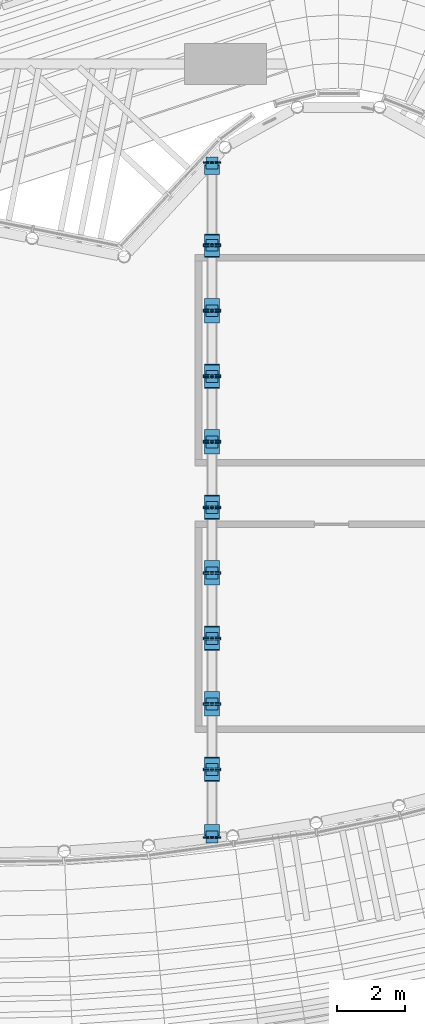
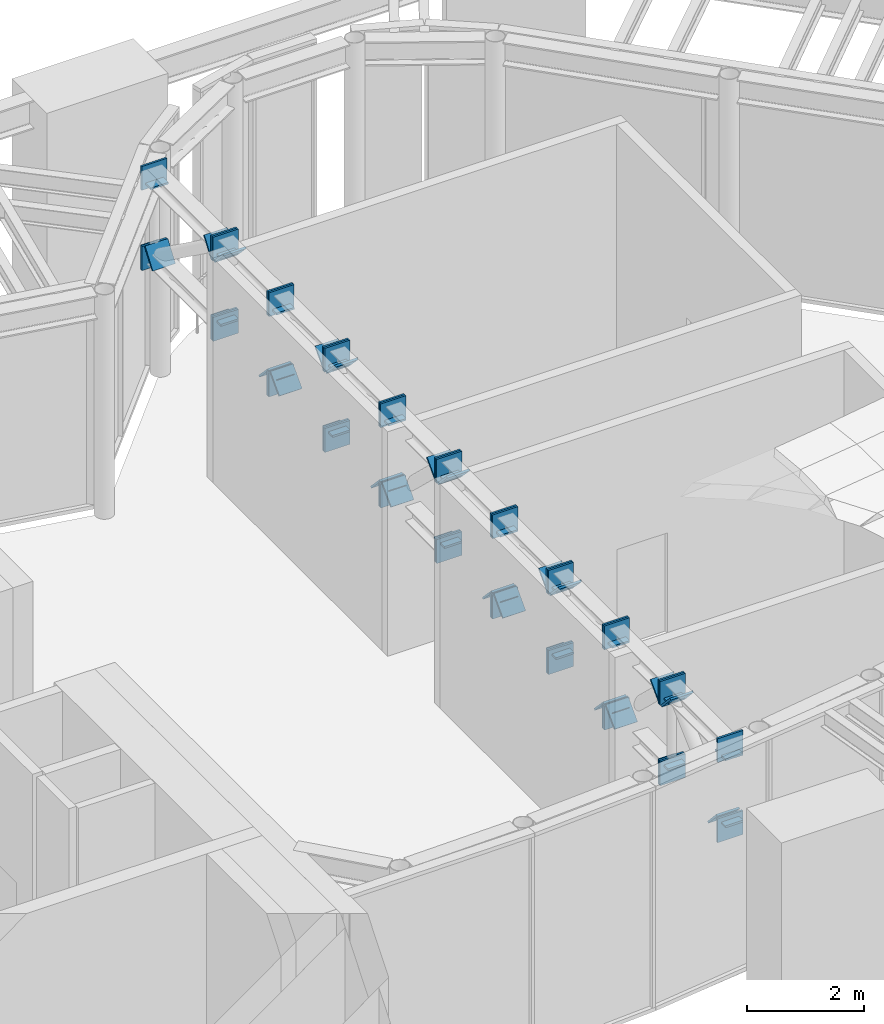
# One storey, part 19 of 20: 82 discrete accessories.
"""IFC4 building model written with IfcOpenShell, lengths in metres."""

from ifc_helpers import new_model, si_unit, direction, frame, origin, origin_2d, place, context, subcontext, project, spatial, rectangle, extrude, material, layer, layer_set, type_object, element, save


model = new_model("IFC4")

# Units and contexts
model_context = context("Model", 3, precision=1e-05, world=origin(), true_north=direction((0.0, 1.0)))
body_context = subcontext(model_context, "Body", "Model", "MODEL_VIEW")
ifc_project = project(units=[si_unit("LENGTHUNIT", "METRE"), si_unit("AREAUNIT", "SQUARE_METRE"), si_unit("VOLUMEUNIT", "CUBIC_METRE"), si_unit("PLANEANGLEUNIT", "RADIAN"), si_unit("MASSUNIT", "GRAM", prefix="KILO")], contexts=[model_context])

# Site, building, storey
site_placement = place(None, origin())
site = spatial("IfcSite", under=ifc_project, at=site_placement, CompositionType="ELEMENT")
building_placement = place(site_placement, origin())
building = spatial("IfcBuilding", under=site, at=building_placement, Name="Brevane Broadcast Tower", CompositionType="ELEMENT")
storey_placement = place(building_placement, frame((0.0, 0.0, 264.199951171875)))
storey = spatial("IfcBuildingStorey", under=building, at=storey_placement, Name="L66", CompositionType="ELEMENT", Elevation=264.199951171875)

# Discrete accessories
ifc_material = material(Name="Steel S355", Category="steel")
ifc_layer_1 = layer(ifc_material, 0.0400390625)
ifc_layer_set_1 = layer_set([ifc_layer_1], Name="Gusset plate 350x350x40 S355")
discrete_accessory_type_1 = type_object("IfcDiscreteAccessoryType", Name="Gusset plate 350x350x40 S355", PredefinedType="ANCHORPLATE", material=ifc_layer_set_1)
for number, where, z_axis, x_axis, name in (
    (1, (33.199951171875, 2.57568359375, 2.97998046875), (0.0, 0.0, 1.0), (1.0, 0.0, 0.0), "Gusset plate GP7-112"),
    (2, (33.199951171875, 2.57568359375, 4.380126953125), (0.0, 0.0, 1.0), (1.0, 0.0, 0.0), "Gusset plate GP7-113"),
    (3, (33.199951171875, 4.547607421875, 2.97998046875), (0.0, 0.0, 1.0), (1.0, 0.0, 0.0), "Gusset plate GP7-114"),
    (4, (33.199951171875, 4.547607421875, 4.380126953125), (0.0, 0.0, 1.0), (1.0, 0.0, 0.0), "Gusset plate GP7-115"),
    (5, (33.199951171875, 6.4658203125, 2.97998046875), (0.0, 0.0, 1.0), (1.0, 0.0, 0.0), "Gusset plate GP7-116"),
    (6, (33.199951171875, 6.4658203125, 4.380126953125), (0.0, 0.0, 1.0), (1.0, 0.0, 0.0), "Gusset plate GP7-117"),
    (7, (33.199951171875, 8.3837890625, 2.97998046875), (0.0, 0.0, 1.0), (1.0, 0.0, 0.0), "Gusset plate GP7-118"),
    (8, (33.199951171875, 8.3837890625, 4.380126953125), (0.0, 0.0, 1.0), (1.0, 0.0, 0.0), "Gusset plate GP7-119"),
    (9, (33.199951171875, 10.302001953125, 2.97998046875), (0.0, 0.0, 1.0), (1.0, 0.0, 0.0), "Gusset plate GP7-120"),
    (10, (33.199951171875, 10.302001953125, 4.380126953125), (0.0, 0.0, 1.0), (1.0, 0.0, 0.0), "Gusset plate GP7-121"),
    (11, (33.199951171875, 12.219970703125, 2.97998046875), (0.0, 0.0, 1.0), (1.0, 0.0, 0.0), "Gusset plate GP7-122"),
    (12, (33.199951171875, 12.219970703125, 4.380126953125), (0.0, 0.0, 1.0), (1.0, 0.0, 0.0), "Gusset plate GP7-123"),
    (13, (33.199951171875, 14.13818359375, 2.97998046875), (0.0, 0.0, 1.0), (1.0, 0.0, 0.0), "Gusset plate GP7-124"),
    (14, (33.199951171875, 14.13818359375, 4.380126953125), (0.0, 0.0, 1.0), (1.0, 0.0, 0.0), "Gusset plate GP7-125"),
    (15, (33.199951171875, 16.05615234375, 2.97998046875), (0.0, 0.0, 1.0), (1.0, 0.0, 0.0), "Gusset plate GP7-126"),
    (16, (33.199951171875, 16.05615234375, 4.380126953125), (0.0, 0.0, 1.0), (1.0, 0.0, 0.0), "Gusset plate GP7-127"),
    (17, (33.199951171875, 17.974365234375, 2.97998046875), (0.0, 0.0, 1.0), (1.0, 0.0, 0.0), "Gusset plate GP7-128"),
    (18, (33.199951171875, 17.974365234375, 4.380126953125), (0.0, 0.0, 1.0), (1.0, 0.0, 0.0), "Gusset plate GP7-129"),
    (19, (33.199951171875, 19.892333984375, 2.97998046875), (0.0, 0.0, 1.0), (1.0, 0.0, 0.0), "Gusset plate GP7-130"),
    (20, (33.199951171875, 19.892333984375, 4.380126953125), (0.0, 0.0, 1.0), (1.0, 0.0, 0.0), "Gusset plate GP7-131"),
    (21, (33.199951171875, 22.295654296875, 2.97998046875), (0.0, 0.0, 1.0), (1.0, 0.0, 0.0), "Gusset plate GP7-132"),
    (22, (33.199951171875, 22.295654296875, 4.380126953125), (0.0, 0.0, 1.0), (1.0, 0.0, 0.0), "Gusset plate GP7-133"),
):
    element("IfcDiscreteAccessory", number, at=place(storey_placement, frame(where, z_axis=z_axis, x_axis=x_axis)), inside=storey, type_object=discrete_accessory_type_1, Name=name, PredefinedType="ANCHORPLATE", context=body_context, shape_type="SweptSolid", body=[
        extrude(rectangle(XDim=0.35009765625, YDim=0.35009765625, at=origin_2d()), origin(), (0.0, 0.0, 1.0), 0.0400390625),
    ])
ifc_layer_2 = layer(ifc_material, 0.0400390625)
ifc_layer_set_2 = layer_set([ifc_layer_2], Name="Gusset plate 450x450x40 S355")
discrete_accessory_type_2 = type_object("IfcDiscreteAccessoryType", Name="Gusset plate 450x450x40 S355", PredefinedType="ANCHORPLATE", material=ifc_layer_set_2)
discrete_accessory_1_placement = place(storey_placement, frame((33.199951171875, 2.750244140625, 2.952880859375), z_axis=(0.0, 0.736901292288, 0.676000359041), x_axis=(-1.0, 0.0, 0.0)))
element("IfcDiscreteAccessory", 23, at=discrete_accessory_1_placement, inside=storey, type_object=discrete_accessory_type_2, Name="Gusset plate GP6-92", PredefinedType="ANCHORPLATE", context=body_context, shape_type="SweptSolid", body=[
    extrude(rectangle(XDim=0.449951171875, YDim=0.449951171875, at=origin_2d()), origin(), (0.0, 0.0, 1.0), 0.0400390625),
])
discrete_accessory_2_placement = place(storey_placement, frame((33.199951171875, 4.343505859375, 4.420166015625), z_axis=(0.0, 0.734099439586, 0.679041981617), x_axis=(-1.0, 0.0, 0.0)))
element("IfcDiscreteAccessory", 24, at=discrete_accessory_2_placement, inside=storey, type_object=discrete_accessory_type_2, Name="Gusset plate GP6-93", PredefinedType="ANCHORPLATE", context=body_context, shape_type="SweptSolid", body=[
    extrude(rectangle(XDim=0.449951171875, YDim=0.449951171875, at=origin_2d()), origin(), (0.0, 0.0, 1.0), 0.039794921875),
])
discrete_accessory_3_placement = place(storey_placement, frame((33.199951171875, 6.29052734375, 2.952392578125), z_axis=(0.0, -0.725151558483, 0.68858929503), x_axis=(1.0, 0.0, 0.0)))
element("IfcDiscreteAccessory", 25, at=discrete_accessory_3_placement, inside=storey, type_object=discrete_accessory_type_2, Name="Gusset plate GP6-94", PredefinedType="ANCHORPLATE", context=body_context, shape_type="SweptSolid", body=[
    extrude(rectangle(XDim=0.449951171875, YDim=0.449951171875, at=origin_2d()), origin(), (0.0, 0.0, 1.0), 0.0400390625),
])
discrete_accessory_4_placement = place(storey_placement, frame((33.199951171875, 4.751708984375, 4.420166015625), z_axis=(0.0, -0.722242954656, 0.691639439628), x_axis=(1.0, 0.0, 0.0)))
element("IfcDiscreteAccessory", 26, at=discrete_accessory_4_placement, inside=storey, type_object=discrete_accessory_type_2, Name="Gusset plate GP6-95", PredefinedType="ANCHORPLATE", context=body_context, shape_type="SweptSolid", body=[
    extrude(rectangle(XDim=0.449951171875, YDim=0.449951171875, at=origin_2d()), origin(), (0.0, 0.0, 1.0), 0.039794921875),
])
discrete_accessory_5_placement = place(storey_placement, frame((33.199951171875, 6.640869140625, 2.952392578125), z_axis=(0.0, 0.725151558483, 0.68858929503), x_axis=(-1.0, 0.0, 0.0)))
element("IfcDiscreteAccessory", 27, at=discrete_accessory_5_placement, inside=storey, type_object=discrete_accessory_type_2, Name="Gusset plate GP6-96", PredefinedType="ANCHORPLATE", context=body_context, shape_type="SweptSolid", body=[
    extrude(rectangle(XDim=0.449951171875, YDim=0.449951171875, at=origin_2d()), origin(), (0.0, 0.0, 1.0), 0.0400390625),
])
discrete_accessory_6_placement = place(storey_placement, frame((33.199951171875, 8.1796875, 4.420166015625), z_axis=(0.0, 0.722242954656, 0.691639439628), x_axis=(-1.0, 0.0, 0.0)))
element("IfcDiscreteAccessory", 28, at=discrete_accessory_6_placement, inside=storey, type_object=discrete_accessory_type_2, Name="Gusset plate GP6-97", PredefinedType="ANCHORPLATE", context=body_context, shape_type="SweptSolid", body=[
    extrude(rectangle(XDim=0.449951171875, YDim=0.449951171875, at=origin_2d()), origin(), (0.0, 0.0, 1.0), 0.039794921875),
])
discrete_accessory_7_placement = place(storey_placement, frame((33.199951171875, 10.126708984375, 2.952392578125), z_axis=(0.0, -0.725151558483, 0.68858929503), x_axis=(1.0, 0.0, 0.0)))
element("IfcDiscreteAccessory", 29, at=discrete_accessory_7_placement, inside=storey, type_object=discrete_accessory_type_2, Name="Gusset plate GP6-98", PredefinedType="ANCHORPLATE", context=body_context, shape_type="SweptSolid", body=[
    extrude(rectangle(XDim=0.449951171875, YDim=0.449951171875, at=origin_2d()), origin(), (0.0, 0.0, 1.0), 0.0400390625),
])
discrete_accessory_8_placement = place(storey_placement, frame((33.199951171875, 8.587890625, 4.420166015625), z_axis=(0.0, -0.722242954656, 0.691639439628), x_axis=(1.0, 0.0, 0.0)))
element("IfcDiscreteAccessory", 30, at=discrete_accessory_8_placement, inside=storey, type_object=discrete_accessory_type_2, Name="Gusset plate GP6-99", PredefinedType="ANCHORPLATE", context=body_context, shape_type="SweptSolid", body=[
    extrude(rectangle(XDim=0.449951171875, YDim=0.449951171875, at=origin_2d()), origin(), (0.0, 0.0, 1.0), 0.039794921875),
])
discrete_accessory_9_placement = place(storey_placement, frame((33.199951171875, 10.47705078125, 2.952392578125), z_axis=(0.0, 0.725151558483, 0.68858929503), x_axis=(-1.0, 0.0, 0.0)))
element("IfcDiscreteAccessory", 31, at=discrete_accessory_9_placement, inside=storey, type_object=discrete_accessory_type_2, Name="Gusset plate GP6-100", PredefinedType="ANCHORPLATE", context=body_context, shape_type="SweptSolid", body=[
    extrude(rectangle(XDim=0.449951171875, YDim=0.449951171875, at=origin_2d()), origin(), (0.0, 0.0, 1.0), 0.0400390625),
])
discrete_accessory_10_placement = place(storey_placement, frame((33.199951171875, 12.015869140625, 4.420166015625), z_axis=(0.0, 0.722242954656, 0.691639439628), x_axis=(-1.0, 0.0, 0.0)))
element("IfcDiscreteAccessory", 32, at=discrete_accessory_10_placement, inside=storey, type_object=discrete_accessory_type_2, Name="Gusset plate GP6-101", PredefinedType="ANCHORPLATE", context=body_context, shape_type="SweptSolid", body=[
    extrude(rectangle(XDim=0.449951171875, YDim=0.449951171875, at=origin_2d()), origin(), (0.0, 0.0, 1.0), 0.039794921875),
])
discrete_accessory_11_placement = place(storey_placement, frame((33.199951171875, 13.962890625, 2.952392578125), z_axis=(0.0, -0.725151558483, 0.68858929503), x_axis=(1.0, 0.0, 0.0)))
element("IfcDiscreteAccessory", 33, at=discrete_accessory_11_placement, inside=storey, type_object=discrete_accessory_type_2, Name="Gusset plate GP6-102", PredefinedType="ANCHORPLATE", context=body_context, shape_type="SweptSolid", body=[
    extrude(rectangle(XDim=0.449951171875, YDim=0.449951171875, at=origin_2d()), origin(), (0.0, 0.0, 1.0), 0.0400390625),
])
discrete_accessory_12_placement = place(storey_placement, frame((33.199951171875, 12.424072265625, 4.420166015625), z_axis=(0.0, -0.722242954656, 0.691639439628), x_axis=(1.0, 0.0, 0.0)))
element("IfcDiscreteAccessory", 34, at=discrete_accessory_12_placement, inside=storey, type_object=discrete_accessory_type_2, Name="Gusset plate GP6-103", PredefinedType="ANCHORPLATE", context=body_context, shape_type="SweptSolid", body=[
    extrude(rectangle(XDim=0.449951171875, YDim=0.449951171875, at=origin_2d()), origin(), (0.0, 0.0, 1.0), 0.039794921875),
])
discrete_accessory_13_placement = place(storey_placement, frame((33.199951171875, 14.313232421875, 2.952392578125), z_axis=(0.0, 0.725151558483, 0.68858929503), x_axis=(-1.0, 0.0, 0.0)))
element("IfcDiscreteAccessory", 35, at=discrete_accessory_13_placement, inside=storey, type_object=discrete_accessory_type_2, Name="Gusset plate GP6-104", PredefinedType="ANCHORPLATE", context=body_context, shape_type="SweptSolid", body=[
    extrude(rectangle(XDim=0.449951171875, YDim=0.449951171875, at=origin_2d()), origin(), (0.0, 0.0, 1.0), 0.0400390625),
])
discrete_accessory_14_placement = place(storey_placement, frame((33.199951171875, 15.85205078125, 4.420166015625), z_axis=(0.0, 0.722242954656, 0.691639439628), x_axis=(-1.0, 0.0, 0.0)))
element("IfcDiscreteAccessory", 36, at=discrete_accessory_14_placement, inside=storey, type_object=discrete_accessory_type_2, Name="Gusset plate GP6-105", PredefinedType="ANCHORPLATE", context=body_context, shape_type="SweptSolid", body=[
    extrude(rectangle(XDim=0.449951171875, YDim=0.449951171875, at=origin_2d()), origin(), (0.0, 0.0, 1.0), 0.039794921875),
])
discrete_accessory_15_placement = place(storey_placement, frame((33.199951171875, 17.799072265625, 2.952392578125), z_axis=(0.0, -0.725151558483, 0.68858929503), x_axis=(1.0, 0.0, 0.0)))
element("IfcDiscreteAccessory", 37, at=discrete_accessory_15_placement, inside=storey, type_object=discrete_accessory_type_2, Name="Gusset plate GP6-106", PredefinedType="ANCHORPLATE", context=body_context, shape_type="SweptSolid", body=[
    extrude(rectangle(XDim=0.449951171875, YDim=0.449951171875, at=origin_2d()), origin(), (0.0, 0.0, 1.0), 0.0400390625),
])
discrete_accessory_16_placement = place(storey_placement, frame((33.199951171875, 16.26025390625, 4.420166015625), z_axis=(0.0, -0.722242954656, 0.691639439628), x_axis=(1.0, 0.0, 0.0)))
element("IfcDiscreteAccessory", 38, at=discrete_accessory_16_placement, inside=storey, type_object=discrete_accessory_type_2, Name="Gusset plate GP6-107", PredefinedType="ANCHORPLATE", context=body_context, shape_type="SweptSolid", body=[
    extrude(rectangle(XDim=0.449951171875, YDim=0.449951171875, at=origin_2d()), origin(), (0.0, 0.0, 1.0), 0.039794921875),
])
for number, where, z_axis, x_axis, name in (
    (39, (33.199951171875, 18.1494140625, 2.952392578125), (0.0, 0.725151558483, 0.68858929503), (-1.0, 0.0, 0.0), "Gusset plate GP6-108"),
    (40, (33.199951171875, 19.688232421875, 4.420166015625), (0.0, 0.725151558483, 0.68858929503), (-1.0, 0.0, 0.0), "Gusset plate GP6-109"),
    (41, (33.199951171875, 22.1240234375, 2.95654296875), (0.0, -0.810839958558, 0.585267940012), (1.0, 0.0, 0.0), "Gusset plate GP6-110"),
):
    element("IfcDiscreteAccessory", number, at=place(storey_placement, frame(where, z_axis=z_axis, x_axis=x_axis)), inside=storey, type_object=discrete_accessory_type_2, Name=name, PredefinedType="ANCHORPLATE", context=body_context, shape_type="SweptSolid", body=[
        extrude(rectangle(XDim=0.449951171875, YDim=0.449951171875, at=origin_2d()), origin(), (0.0, 0.0, 1.0), 0.0400390625),
    ])
discrete_accessory_17_placement = place(storey_placement, frame((33.199951171875, 20.096435546875, 4.420166015625), z_axis=(0.0, -0.811650952973, 0.584142731306), x_axis=(1.0, 0.0, 0.0)))
element("IfcDiscreteAccessory", 42, at=discrete_accessory_17_placement, inside=storey, type_object=discrete_accessory_type_2, Name="Gusset plate GP6-111", PredefinedType="ANCHORPLATE", context=body_context, shape_type="SweptSolid", body=[
    extrude(rectangle(XDim=0.449951171875, YDim=0.449951171875, at=origin_2d()), origin(), (0.0, 0.0, 1.0), 0.039794921875),
])
ifc_layer_3 = layer(ifc_material, 0.0400390625)
ifc_layer_set_3 = layer_set([ifc_layer_3], Name="Gusset plate 500x500x40 S355")
discrete_accessory_type_3 = type_object("IfcDiscreteAccessoryType", Name="Gusset plate 500x500x40 S355", PredefinedType="ANCHORPLATE", material=ifc_layer_set_3)
for number, where, z_axis, x_axis, name in (
    (43, (33.199951171875, 2.53564453125, 2.860107421875), (0.0, 1.0, 0.0), (-1.0, 0.0, 0.0), "Gusset plate GP3-72"),
    (44, (33.199951171875, 4.547607421875, 2.860107421875), (0.0, 1.0, 0.0), (-1.0, 0.0, 0.0), "Gusset plate GP3-73"),
    (45, (33.199951171875, 4.507568359375, 2.860107421875), (0.0, 1.0, 0.0), (-1.0, 0.0, 0.0), "Gusset plate GP3-74"),
):
    element("IfcDiscreteAccessory", number, at=place(storey_placement, frame(where, z_axis=z_axis, x_axis=x_axis)), inside=storey, type_object=discrete_accessory_type_3, Name=name, PredefinedType="ANCHORPLATE", context=body_context, shape_type="SweptSolid", body=[
        extrude(rectangle(XDim=0.5, YDim=0.5, at=origin_2d()), origin(), (0.0, 0.0, 1.0), 0.0400390625),
    ])
discrete_accessory_18_placement = place(storey_placement, frame((33.199951171875, 6.4658203125, 2.860107421875), z_axis=(0.0, 1.0, 0.0), x_axis=(-1.0, 0.0, 0.0)))
element("IfcDiscreteAccessory", 46, at=discrete_accessory_18_placement, inside=storey, type_object=discrete_accessory_type_3, Name="Gusset plate GP3-75", PredefinedType="ANCHORPLATE", context=body_context, shape_type="SweptSolid", body=[
    extrude(rectangle(XDim=0.5, YDim=0.5, at=origin_2d()), origin(), (0.0, 0.0, 1.0), 0.039794921875),
])
for number, where, z_axis, x_axis, name in (
    (47, (33.199951171875, 6.42578125, 2.860107421875), (0.0, 1.0, 0.0), (-1.0, 0.0, 0.0), "Gusset plate GP3-76"),
    (48, (33.199951171875, 8.3837890625, 2.860107421875), (0.0, 1.0, 0.0), (-1.0, 0.0, 0.0), "Gusset plate GP3-77"),
    (49, (33.199951171875, 8.34375, 2.860107421875), (0.0, 1.0, 0.0), (-1.0, 0.0, 0.0), "Gusset plate GP3-78"),
):
    element("IfcDiscreteAccessory", number, at=place(storey_placement, frame(where, z_axis=z_axis, x_axis=x_axis)), inside=storey, type_object=discrete_accessory_type_3, Name=name, PredefinedType="ANCHORPLATE", context=body_context, shape_type="SweptSolid", body=[
        extrude(rectangle(XDim=0.5, YDim=0.5, at=origin_2d()), origin(), (0.0, 0.0, 1.0), 0.0400390625),
    ])
discrete_accessory_19_placement = place(storey_placement, frame((33.199951171875, 10.302001953125, 2.860107421875), z_axis=(0.0, 1.0, 0.0), x_axis=(-1.0, 0.0, 0.0)))
element("IfcDiscreteAccessory", 50, at=discrete_accessory_19_placement, inside=storey, type_object=discrete_accessory_type_3, Name="Gusset plate GP3-79", PredefinedType="ANCHORPLATE", context=body_context, shape_type="SweptSolid", body=[
    extrude(rectangle(XDim=0.5, YDim=0.5, at=origin_2d()), origin(), (0.0, 0.0, 1.0), 0.039794921875),
])
for number, where, z_axis, x_axis, name in (
    (51, (33.199951171875, 10.261962890625, 2.860107421875), (0.0, 1.0, 0.0), (-1.0, 0.0, 0.0), "Gusset plate GP3-80"),
    (52, (33.199951171875, 12.219970703125, 2.860107421875), (0.0, 1.0, 0.0), (-1.0, 0.0, 0.0), "Gusset plate GP3-81"),
    (53, (33.199951171875, 12.179931640625, 2.860107421875), (0.0, 1.0, 0.0), (-1.0, 0.0, 0.0), "Gusset plate GP3-82"),
):
    element("IfcDiscreteAccessory", number, at=place(storey_placement, frame(where, z_axis=z_axis, x_axis=x_axis)), inside=storey, type_object=discrete_accessory_type_3, Name=name, PredefinedType="ANCHORPLATE", context=body_context, shape_type="SweptSolid", body=[
        extrude(rectangle(XDim=0.5, YDim=0.5, at=origin_2d()), origin(), (0.0, 0.0, 1.0), 0.0400390625),
    ])
discrete_accessory_20_placement = place(storey_placement, frame((33.199951171875, 14.13818359375, 2.860107421875), z_axis=(0.0, 1.0, 0.0), x_axis=(-1.0, 0.0, 0.0)))
element("IfcDiscreteAccessory", 54, at=discrete_accessory_20_placement, inside=storey, type_object=discrete_accessory_type_3, Name="Gusset plate GP3-83", PredefinedType="ANCHORPLATE", context=body_context, shape_type="SweptSolid", body=[
    extrude(rectangle(XDim=0.5, YDim=0.5, at=origin_2d()), origin(), (0.0, 0.0, 1.0), 0.039794921875),
])
for number, where, z_axis, x_axis, name in (
    (55, (33.199951171875, 14.09814453125, 2.860107421875), (0.0, 1.0, 0.0), (-1.0, 0.0, 0.0), "Gusset plate GP3-84"),
    (56, (33.199951171875, 16.05615234375, 2.860107421875), (0.0, 1.0, 0.0), (-1.0, 0.0, 0.0), "Gusset plate GP3-85"),
    (57, (33.199951171875, 16.01611328125, 2.860107421875), (0.0, 1.0, 0.0), (-1.0, 0.0, 0.0), "Gusset plate GP3-86"),
):
    element("IfcDiscreteAccessory", number, at=place(storey_placement, frame(where, z_axis=z_axis, x_axis=x_axis)), inside=storey, type_object=discrete_accessory_type_3, Name=name, PredefinedType="ANCHORPLATE", context=body_context, shape_type="SweptSolid", body=[
        extrude(rectangle(XDim=0.5, YDim=0.5, at=origin_2d()), origin(), (0.0, 0.0, 1.0), 0.0400390625),
    ])
discrete_accessory_21_placement = place(storey_placement, frame((33.199951171875, 17.974365234375, 2.860107421875), z_axis=(0.0, 1.0, 0.0), x_axis=(-1.0, 0.0, 0.0)))
element("IfcDiscreteAccessory", 58, at=discrete_accessory_21_placement, inside=storey, type_object=discrete_accessory_type_3, Name="Gusset plate GP3-87", PredefinedType="ANCHORPLATE", context=body_context, shape_type="SweptSolid", body=[
    extrude(rectangle(XDim=0.5, YDim=0.5, at=origin_2d()), origin(), (0.0, 0.0, 1.0), 0.039794921875),
])
for number, where, z_axis, x_axis, name in (
    (59, (33.199951171875, 17.934326171875, 2.860107421875), (0.0, 1.0, 0.0), (-1.0, 0.0, 0.0), "Gusset plate GP3-88"),
    (60, (33.199951171875, 19.892333984375, 2.860107421875), (0.0, 1.0, 0.0), (-1.0, 0.0, 0.0), "Gusset plate GP3-89"),
    (61, (33.199951171875, 19.852294921875, 2.860107421875), (0.0, 1.0, 0.0), (-1.0, 0.0, 0.0), "Gusset plate GP3-90"),
    (62, (33.199951171875, 22.295654296875, 2.860107421875), (0.0, 1.0, 0.0), (-1.0, 0.0, 0.0), "Gusset plate GP3-91"),
    (63, (33.199951171875, 2.53564453125, 4.5400390625), (0.0, 1.0, 0.0), (-1.0, 0.0, 0.0), "Gusset plate GP3-134"),
    (64, (33.199951171875, 4.547607421875, 4.5400390625), (0.0, 1.0, 0.0), (-1.0, 0.0, 0.0), "Gusset plate GP3-135"),
    (65, (33.199951171875, 4.507568359375, 4.5400390625), (0.0, 1.0, 0.0), (-1.0, 0.0, 0.0), "Gusset plate GP3-136"),
):
    element("IfcDiscreteAccessory", number, at=place(storey_placement, frame(where, z_axis=z_axis, x_axis=x_axis)), inside=storey, type_object=discrete_accessory_type_3, Name=name, PredefinedType="ANCHORPLATE", context=body_context, shape_type="SweptSolid", body=[
        extrude(rectangle(XDim=0.5, YDim=0.5, at=origin_2d()), origin(), (0.0, 0.0, 1.0), 0.0400390625),
    ])
discrete_accessory_22_placement = place(storey_placement, frame((33.199951171875, 6.4658203125, 4.5400390625), z_axis=(0.0, 1.0, 0.0), x_axis=(-1.0, 0.0, 0.0)))
element("IfcDiscreteAccessory", 66, at=discrete_accessory_22_placement, inside=storey, type_object=discrete_accessory_type_3, Name="Gusset plate GP3-137", PredefinedType="ANCHORPLATE", context=body_context, shape_type="SweptSolid", body=[
    extrude(rectangle(XDim=0.5, YDim=0.5, at=origin_2d()), origin(), (0.0, 0.0, 1.0), 0.039794921875),
])
for number, where, z_axis, x_axis, name in (
    (67, (33.199951171875, 6.42578125, 4.5400390625), (0.0, 1.0, 0.0), (-1.0, 0.0, 0.0), "Gusset plate GP3-138"),
    (68, (33.199951171875, 8.3837890625, 4.5400390625), (0.0, 1.0, 0.0), (-1.0, 0.0, 0.0), "Gusset plate GP3-139"),
    (69, (33.199951171875, 8.34375, 4.5400390625), (0.0, 1.0, 0.0), (-1.0, 0.0, 0.0), "Gusset plate GP3-140"),
):
    element("IfcDiscreteAccessory", number, at=place(storey_placement, frame(where, z_axis=z_axis, x_axis=x_axis)), inside=storey, type_object=discrete_accessory_type_3, Name=name, PredefinedType="ANCHORPLATE", context=body_context, shape_type="SweptSolid", body=[
        extrude(rectangle(XDim=0.5, YDim=0.5, at=origin_2d()), origin(), (0.0, 0.0, 1.0), 0.0400390625),
    ])
discrete_accessory_23_placement = place(storey_placement, frame((33.199951171875, 10.302001953125, 4.5400390625), z_axis=(0.0, 1.0, 0.0), x_axis=(-1.0, 0.0, 0.0)))
element("IfcDiscreteAccessory", 70, at=discrete_accessory_23_placement, inside=storey, type_object=discrete_accessory_type_3, Name="Gusset plate GP3-141", PredefinedType="ANCHORPLATE", context=body_context, shape_type="SweptSolid", body=[
    extrude(rectangle(XDim=0.5, YDim=0.5, at=origin_2d()), origin(), (0.0, 0.0, 1.0), 0.039794921875),
])
for number, where, z_axis, x_axis, name in (
    (71, (33.199951171875, 10.261962890625, 4.5400390625), (0.0, 1.0, 0.0), (-1.0, 0.0, 0.0), "Gusset plate GP3-142"),
    (72, (33.199951171875, 12.219970703125, 4.5400390625), (0.0, 1.0, 0.0), (-1.0, 0.0, 0.0), "Gusset plate GP3-143"),
    (73, (33.199951171875, 12.179931640625, 4.5400390625), (0.0, 1.0, 0.0), (-1.0, 0.0, 0.0), "Gusset plate GP3-144"),
):
    element("IfcDiscreteAccessory", number, at=place(storey_placement, frame(where, z_axis=z_axis, x_axis=x_axis)), inside=storey, type_object=discrete_accessory_type_3, Name=name, PredefinedType="ANCHORPLATE", context=body_context, shape_type="SweptSolid", body=[
        extrude(rectangle(XDim=0.5, YDim=0.5, at=origin_2d()), origin(), (0.0, 0.0, 1.0), 0.0400390625),
    ])
discrete_accessory_24_placement = place(storey_placement, frame((33.199951171875, 14.13818359375, 4.5400390625), z_axis=(0.0, 1.0, 0.0), x_axis=(-1.0, 0.0, 0.0)))
element("IfcDiscreteAccessory", 74, at=discrete_accessory_24_placement, inside=storey, type_object=discrete_accessory_type_3, Name="Gusset plate GP3-145", PredefinedType="ANCHORPLATE", context=body_context, shape_type="SweptSolid", body=[
    extrude(rectangle(XDim=0.5, YDim=0.5, at=origin_2d()), origin(), (0.0, 0.0, 1.0), 0.039794921875),
])
for number, where, z_axis, x_axis, name in (
    (75, (33.199951171875, 14.09814453125, 4.5400390625), (0.0, 1.0, 0.0), (-1.0, 0.0, 0.0), "Gusset plate GP3-146"),
    (76, (33.199951171875, 16.05615234375, 4.5400390625), (0.0, 1.0, 0.0), (-1.0, 0.0, 0.0), "Gusset plate GP3-147"),
    (77, (33.199951171875, 16.01611328125, 4.5400390625), (0.0, 1.0, 0.0), (-1.0, 0.0, 0.0), "Gusset plate GP3-148"),
):
    element("IfcDiscreteAccessory", number, at=place(storey_placement, frame(where, z_axis=z_axis, x_axis=x_axis)), inside=storey, type_object=discrete_accessory_type_3, Name=name, PredefinedType="ANCHORPLATE", context=body_context, shape_type="SweptSolid", body=[
        extrude(rectangle(XDim=0.5, YDim=0.5, at=origin_2d()), origin(), (0.0, 0.0, 1.0), 0.0400390625),
    ])
discrete_accessory_25_placement = place(storey_placement, frame((33.199951171875, 17.974365234375, 4.5400390625), z_axis=(0.0, 1.0, 0.0), x_axis=(-1.0, 0.0, 0.0)))
element("IfcDiscreteAccessory", 78, at=discrete_accessory_25_placement, inside=storey, type_object=discrete_accessory_type_3, Name="Gusset plate GP3-149", PredefinedType="ANCHORPLATE", context=body_context, shape_type="SweptSolid", body=[
    extrude(rectangle(XDim=0.5, YDim=0.5, at=origin_2d()), origin(), (0.0, 0.0, 1.0), 0.039794921875),
])
for number, where, z_axis, x_axis, name in (
    (79, (33.199951171875, 17.934326171875, 4.5400390625), (0.0, 1.0, 0.0), (-1.0, 0.0, 0.0), "Gusset plate GP3-150"),
    (80, (33.199951171875, 19.892333984375, 4.5400390625), (0.0, 1.0, 0.0), (-1.0, 0.0, 0.0), "Gusset plate GP3-151"),
    (81, (33.199951171875, 19.852294921875, 4.5400390625), (0.0, 1.0, 0.0), (-1.0, 0.0, 0.0), "Gusset plate GP3-152"),
    (82, (33.199951171875, 22.295654296875, 4.5400390625), (0.0, 1.0, 0.0), (-1.0, 0.0, 0.0), "Gusset plate GP3-153"),
):
    element("IfcDiscreteAccessory", number, at=place(storey_placement, frame(where, z_axis=z_axis, x_axis=x_axis)), inside=storey, type_object=discrete_accessory_type_3, Name=name, PredefinedType="ANCHORPLATE", context=body_context, shape_type="SweptSolid", body=[
        extrude(rectangle(XDim=0.5, YDim=0.5, at=origin_2d()), origin(), (0.0, 0.0, 1.0), 0.0400390625),
    ])

save(model, "model.ifc")
